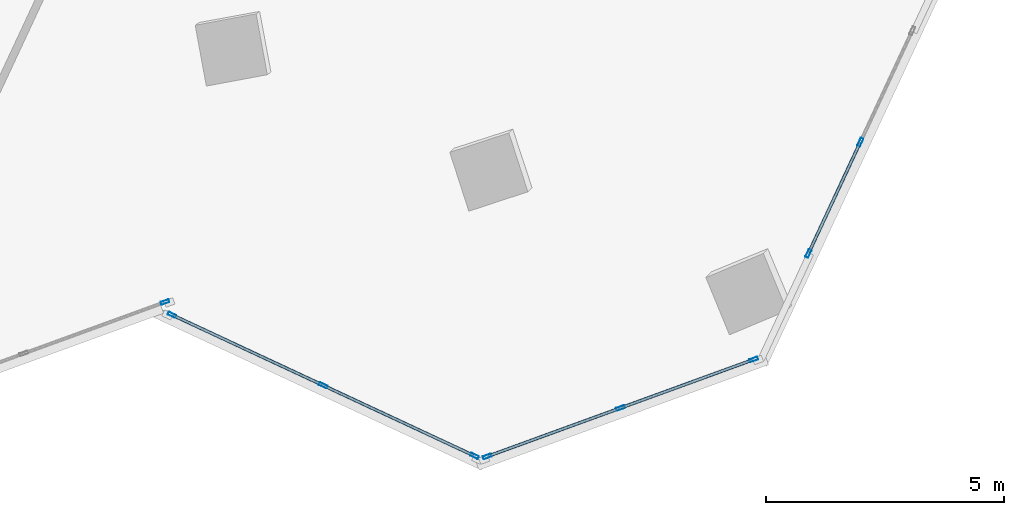
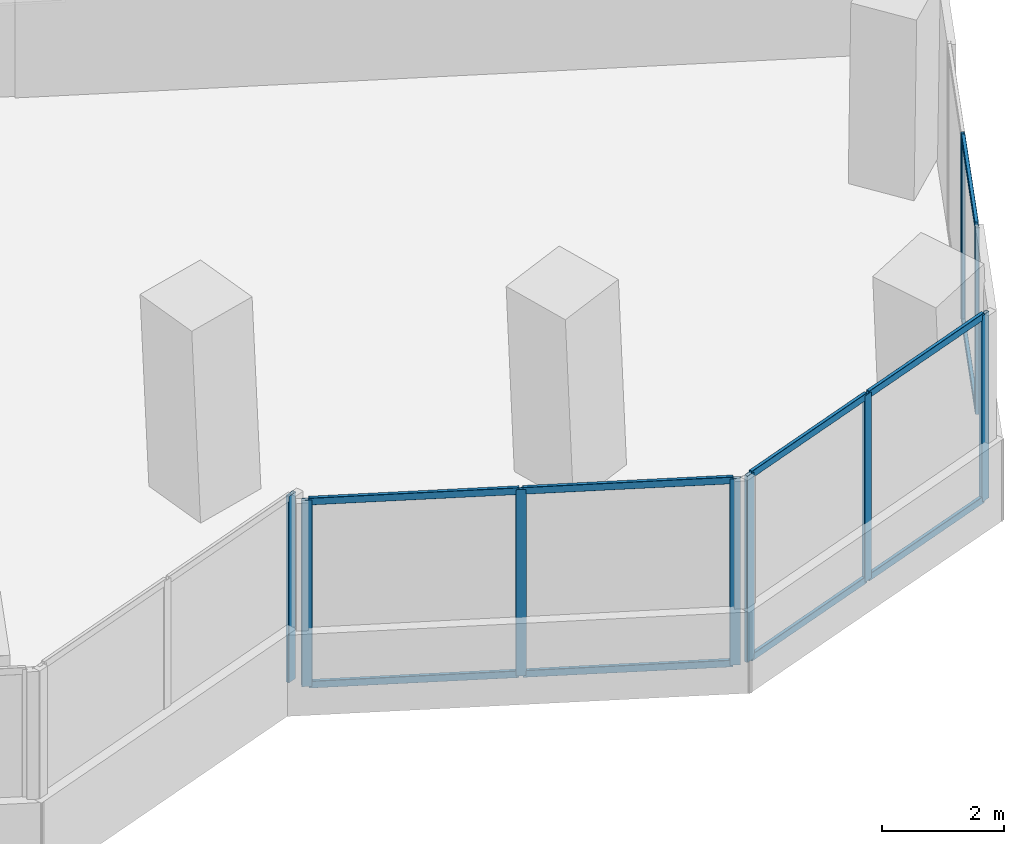
# One storey, part 7 of 23: 19 members, 4 elements without a shape of their own.
"""IFC4 building model written with IfcOpenShell, lengths in metres."""

from ifc_helpers import new_model, si_unit, direction, frame, origin, origin_2d, place, context, subcontext, project, spatial, hollow_rectangle, extrude, source, transform, mapped, material, material_profile, profile_set, type_object, element, aggregate, save


model = new_model("IFC4")

# Units and contexts
model_context = context("Model", 3, precision=1e-05, world=origin(), true_north=direction((0.0, 1.0)))
body_context = subcontext(model_context, "Body", "Model", "MODEL_VIEW")
ifc_project = project(units=[si_unit("LENGTHUNIT", "METRE"), si_unit("AREAUNIT", "SQUARE_METRE"), si_unit("VOLUMEUNIT", "CUBIC_METRE"), si_unit("PLANEANGLEUNIT", "RADIAN"), si_unit("MASSUNIT", "GRAM", prefix="KILO")], contexts=[model_context])

# Site, building, storey
site_placement = place(None, origin())
site = spatial("IfcSite", under=ifc_project, at=site_placement, CompositionType="ELEMENT")
building_placement = place(site_placement, origin())
building = spatial("IfcBuilding", under=site, at=building_placement, Name="Torre Montelarca", CompositionType="ELEMENT")
storey_placement = place(building_placement, frame((0.0, 0.0, 158.199951171875)))
storey = spatial("IfcBuildingStorey", under=building, at=storey_placement, Name="L35", CompositionType="ELEMENT", Elevation=158.199951171875)

# Curtain wall, members
ifc_material_1 = material(Name="Insulated low-E laminated glass", Category="glass")
curtain_wall_type = type_object("IfcCurtainWallType", Name="CW-SYS-Z2", PredefinedType="USERDEFINED", material=ifc_material_1)
curtain_wall_1_placement = place(storey_placement, origin())
curtain_wall_1 = element("IfcCurtainWall", 1, at=curtain_wall_1_placement, inside=storey, type_object=curtain_wall_type, Name="L35 Curtain Wall Run CW-T3-L35-E05-B1", ObjectType="UNITISED GLAZING", PredefinedType="USERDEFINED")
ifc_material_2 = material(Name="Anodised aluminium AA 6063-T6", Category="aluminium")
ifc_material_profile_1 = material_profile(ifc_material_2, hollow_rectangle(XDim=0.06494140625, YDim=0.139892578125, WallThickness=0.00390625, InnerFilletRadius=0.00390625, OuterFilletRadius=0.008056640625, at=origin_2d()), Name="ALU65X140X4", Category="aluminium")
ifc_profile_set_1 = profile_set([ifc_material_profile_1], Name="Anodised aluminium AA 6063-T6")
member_type_1 = type_object("IfcMemberType", Name="CWT-ALU140", PredefinedType="USERDEFINED", material=ifc_profile_set_1)
shared_shape_1 = source(origin(), body_context, "Body", "SweptSolid", [
    extrude(hollow_rectangle(XDim=0.06494140625, YDim=0.139892578125, WallThickness=0.00390625, InnerFilletRadius=0.00390625, OuterFilletRadius=0.008056640625, at=origin_2d()), origin(), (0.0, 0.0, 1.0), 2.918701171875),
])
member_1_placement = place(storey_placement, frame((36.5947265625, 10.01611328125, 0.032470703125), z_axis=(0.939688362671, 0.342031842172, 0.0), x_axis=(-0.342031842172, 0.939688362671, 0.0)))
member_1 = element("IfcMember", 2, at=member_1_placement, type_object=member_type_1, Name="CW transom 1.1", ObjectType="TRANSOM", PredefinedType="USERDEFINED", context=body_context, shape_type="MappedRepresentation", body=[
    mapped(shared_shape_1, transform((0.0, 0.0, 0.0), scale=1.0)),
])
member_2_placement = place(storey_placement, frame((36.5947265625, 10.01611328125, 3.6875), z_axis=(0.939688362671, 0.342031842172, 0.0), x_axis=(-0.342031842172, 0.939688362671, 0.0)))
member_2 = element("IfcMember", 3, at=member_2_placement, type_object=member_type_1, Name="CW transom 1.2", ObjectType="TRANSOM", PredefinedType="USERDEFINED", context=body_context, shape_type="MappedRepresentation", body=[
    mapped(shared_shape_1, transform((0.0, 0.0, 0.0), scale=1.0)),
])
member_3_placement = place(storey_placement, frame((39.3984375, 11.03662109375, 0.032470703125), z_axis=(0.939715244905, 0.341957977672, 0.0), x_axis=(-0.341957977672, 0.939715244905, 0.0)))
member_3 = element("IfcMember", 4, at=member_3_placement, type_object=member_type_1, Name="CW transom 2.1", ObjectType="TRANSOM", PredefinedType="USERDEFINED", context=body_context, shape_type="MappedRepresentation", body=[
    mapped(shared_shape_1, transform((0.0, 0.0, 0.0), scale=1.0)),
])
member_4_placement = place(storey_placement, frame((39.3984375, 11.03662109375, 3.6875), z_axis=(0.939715244905, 0.341957977672, 0.0), x_axis=(-0.341957977672, 0.939715244905, 0.0)))
member_4 = element("IfcMember", 5, at=member_4_placement, type_object=member_type_1, Name="CW transom 2.2", ObjectType="TRANSOM", PredefinedType="USERDEFINED", context=body_context, shape_type="MappedRepresentation", body=[
    mapped(shared_shape_1, transform((0.0, 0.0, 0.0), scale=1.0)),
])

# Curtain wall, member
curtain_wall_2_placement = place(storey_placement, origin())
curtain_wall_2 = element("IfcCurtainWall", 6, at=curtain_wall_2_placement, inside=storey, type_object=curtain_wall_type, Name="L35 Curtain Wall Run CW-T3-L35-E02-B1", ObjectType="UNITISED GLAZING", PredefinedType="USERDEFINED")
ifc_material_profile_2 = material_profile(ifc_material_2, hollow_rectangle(XDim=0.06494140625, YDim=0.179931640625, WallThickness=0.00390625, InnerFilletRadius=0.00390625, OuterFilletRadius=0.008056640625, at=origin_2d()), Name="ALU65X180X4", Category="aluminium")
ifc_profile_set_2 = profile_set([ifc_material_profile_2], Name="Anodised aluminium AA 6063-T6")
member_type_2 = type_object("IfcMemberType", Name="CWM-ALU180", PredefinedType="MULLION", material=ifc_profile_set_2)
shared_shape_2 = source(origin(), body_context, "Body", "SweptSolid", [
    extrude(hollow_rectangle(XDim=0.06494140625, YDim=0.179931640625, WallThickness=0.00390625, InnerFilletRadius=0.00390625, OuterFilletRadius=0.008056640625, at=origin_2d()), origin(), (0.0, 0.0, 1.0), 3.719970703125),
])
member_5_placement = place(storey_placement, frame((29.781982421875, 13.25537109375, 0.0), z_axis=(0.0, 0.0, 1.0), x_axis=(-0.342017799316, 0.939693473932, 0.0)))
member_5 = element("IfcMember", 7, at=member_5_placement, type_object=member_type_2, Name="CW mullion 3", PredefinedType="MULLION", context=body_context, shape_type="MappedRepresentation", body=[
    mapped(shared_shape_2, transform((0.0, 0.0, 0.0), scale=1.0)),
])
aggregate(curtain_wall_2, [member_5])

# Curtain wall, members
curtain_wall_3_placement = place(storey_placement, origin())
curtain_wall_3 = element("IfcCurtainWall", 8, at=curtain_wall_3_placement, inside=storey, type_object=curtain_wall_type, Name="L35 Curtain Wall Run CW-T3-L35-E04-B1", ObjectType="UNITISED GLAZING", PredefinedType="USERDEFINED")
member_6_placement = place(storey_placement, frame((29.9287109375, 12.986328125, 0.0), z_axis=(0.0, 0.0, 1.0), x_axis=(0.422602150764, 0.906315299534, 0.0)))
member_6 = element("IfcMember", 9, at=member_6_placement, type_object=member_type_2, Name="CW mullion 1", PredefinedType="MULLION", context=body_context, shape_type="MappedRepresentation", body=[
    mapped(shared_shape_2, transform((0.0, 0.0, 0.0), scale=1.0)),
])
member_7_placement = place(storey_placement, frame((33.113037109375, 11.50146484375, 0.0), z_axis=(0.0, 0.0, 1.0), x_axis=(0.422602150764, 0.906315299534, 0.0)))
member_7 = element("IfcMember", 10, at=member_7_placement, type_object=member_type_2, Name="CW mullion 2", PredefinedType="MULLION", context=body_context, shape_type="MappedRepresentation", body=[
    mapped(shared_shape_2, transform((0.0, 0.0, 0.0), scale=1.0)),
])
member_8_placement = place(storey_placement, frame((36.29736328125, 10.016845703125, 0.0), z_axis=(0.0, 0.0, 1.0), x_axis=(0.422602150764, 0.906315299534, 0.0)))
member_8 = element("IfcMember", 11, at=member_8_placement, type_object=member_type_2, Name="CW mullion 3", PredefinedType="MULLION", context=body_context, shape_type="MappedRepresentation", body=[
    mapped(shared_shape_2, transform((0.0, 0.0, 0.0), scale=1.0)),
])

# Member
member_9_placement = place(storey_placement, frame((36.564208984375, 10.005126953125, 0.0), z_axis=(0.0, 0.0, 1.0), x_axis=(-0.342015916313, 0.939694159282, 0.0)))
member_9 = element("IfcMember", 12, at=member_9_placement, type_object=member_type_2, Name="CW mullion 1", PredefinedType="MULLION", context=body_context, shape_type="MappedRepresentation", body=[
    mapped(shared_shape_2, transform((0.0, 0.0, 0.0), scale=1.0)),
])

member_10_placement = place(storey_placement, frame((39.367919921875, 11.025390625, 0.0), z_axis=(0.0, 0.0, 1.0), x_axis=(-0.342015916313, 0.939694159282, 0.0)))
member_10 = element("IfcMember", 13, at=member_10_placement, type_object=member_type_2, Name="CW mullion 2", PredefinedType="MULLION", context=body_context, shape_type="MappedRepresentation", body=[
    mapped(shared_shape_2, transform((0.0, 0.0, 0.0), scale=1.0)),
])

member_11_placement = place(storey_placement, frame((42.171630859375, 12.0458984375, 0.0), z_axis=(0.0, 0.0, 1.0), x_axis=(-0.342015916313, 0.939694159282, 0.0)))
member_11 = element("IfcMember", 14, at=member_11_placement, type_object=member_type_2, Name="CW mullion 3", PredefinedType="MULLION", context=body_context, shape_type="MappedRepresentation", body=[
    mapped(shared_shape_2, transform((0.0, 0.0, 0.0), scale=1.0)),
])

aggregate(curtain_wall_1, [member_9, member_10, member_11, member_1, member_2, member_3, member_4])

# Curtain wall, members
curtain_wall_4_placement = place(storey_placement, origin())
curtain_wall_4 = element("IfcCurtainWall", 15, at=curtain_wall_4_placement, inside=storey, type_object=curtain_wall_type, Name="L35 Curtain Wall Run CW-T3-L35-E06-B1", ObjectType="UNITISED GLAZING", PredefinedType="USERDEFINED")
member_12_placement = place(storey_placement, frame((43.325439453125, 14.2783203125, 0.0), z_axis=(0.0, 0.0, 1.0), x_axis=(-0.906314326192, 0.422604238194, 0.0)))
member_12 = element("IfcMember", 16, at=member_12_placement, type_object=member_type_2, Name="CW mullion 1", PredefinedType="MULLION", context=body_context, shape_type="MappedRepresentation", body=[
    mapped(shared_shape_2, transform((0.0, 0.0, 0.0), scale=1.0)),
])
member_13_placement = place(storey_placement, frame((44.418212890625, 16.6220703125, 0.0), z_axis=(0.0, 0.0, 1.0), x_axis=(-0.906314326192, 0.422604238194, 0.0)))
member_13 = element("IfcMember", 17, at=member_13_placement, type_object=member_type_2, Name="CW mullion 2", PredefinedType="MULLION", context=body_context, shape_type="MappedRepresentation", body=[
    mapped(shared_shape_2, transform((0.0, 0.0, 0.0), scale=1.0)),
])

# Member
shared_shape_3 = source(origin(), body_context, "Body", "SweptSolid", [
    extrude(hollow_rectangle(XDim=0.06494140625, YDim=0.139892578125, WallThickness=0.00390625, InnerFilletRadius=0.00390625, OuterFilletRadius=0.008056640625, at=origin_2d()), origin(), (0.0, 0.0, 1.0), 3.448486328125),
])
member_14_placement = place(storey_placement, frame((29.958251953125, 12.97265625, 0.032470703125), z_axis=(0.906325971471, -0.422579262905, 0.0), x_axis=(0.422579262905, 0.906325971471, 0.0)))
member_14 = element("IfcMember", 18, at=member_14_placement, type_object=member_type_1, Name="CW transom 1.1", ObjectType="TRANSOM", PredefinedType="USERDEFINED", context=body_context, shape_type="MappedRepresentation", body=[
    mapped(shared_shape_3, transform((0.0, 0.0, 0.0), scale=1.0)),
])

member_15_placement = place(storey_placement, frame((29.958251953125, 12.97265625, 3.6875), z_axis=(0.906325971471, -0.422579262905, 0.0), x_axis=(0.422579262905, 0.906325971471, 0.0)))
member_15 = element("IfcMember", 19, at=member_15_placement, type_object=member_type_1, Name="CW transom 1.2", ObjectType="TRANSOM", PredefinedType="USERDEFINED", context=body_context, shape_type="MappedRepresentation", body=[
    mapped(shared_shape_3, transform((0.0, 0.0, 0.0), scale=1.0)),
])

member_16_placement = place(storey_placement, frame((33.142578125, 11.48779296875, 0.032470703125), z_axis=(0.906325971471, -0.422579262905, 0.0), x_axis=(0.422579262905, 0.906325971471, 0.0)))
member_16 = element("IfcMember", 20, at=member_16_placement, type_object=member_type_1, Name="CW transom 2.1", ObjectType="TRANSOM", PredefinedType="USERDEFINED", context=body_context, shape_type="MappedRepresentation", body=[
    mapped(shared_shape_3, transform((0.0, 0.0, 0.0), scale=1.0)),
])

member_17_placement = place(storey_placement, frame((33.142578125, 11.48779296875, 3.6875), z_axis=(0.906325971471, -0.422579262905, 0.0), x_axis=(0.422579262905, 0.906325971471, 0.0)))
member_17 = element("IfcMember", 21, at=member_17_placement, type_object=member_type_1, Name="CW transom 2.2", ObjectType="TRANSOM", PredefinedType="USERDEFINED", context=body_context, shape_type="MappedRepresentation", body=[
    mapped(shared_shape_3, transform((0.0, 0.0, 0.0), scale=1.0)),
])

aggregate(curtain_wall_3, [member_6, member_7, member_8, member_14, member_15, member_16, member_17])

shared_shape_4 = source(origin(), body_context, "Body", "SweptSolid", [
    extrude(hollow_rectangle(XDim=0.06494140625, YDim=0.139892578125, WallThickness=0.00390625, InnerFilletRadius=0.00390625, OuterFilletRadius=0.008056640625, at=origin_2d()), origin(), (0.0, 0.0, 1.0), 2.52099609375),
])
member_18_placement = place(storey_placement, frame((43.339111328125, 14.307861328125, 0.032470703125), z_axis=(0.422641564509, 0.906296920412, 0.0), x_axis=(-0.906296920412, 0.422641564509, 0.0)))
member_18 = element("IfcMember", 22, at=member_18_placement, type_object=member_type_1, Name="CW transom 1.1", ObjectType="TRANSOM", PredefinedType="USERDEFINED", context=body_context, shape_type="MappedRepresentation", body=[
    mapped(shared_shape_4, transform((0.0, 0.0, 0.0), scale=1.0)),
])

member_19_placement = place(storey_placement, frame((43.339111328125, 14.307861328125, 3.6875), z_axis=(0.422641564509, 0.906296920412, 0.0), x_axis=(-0.906296920412, 0.422641564509, 0.0)))
member_19 = element("IfcMember", 23, at=member_19_placement, type_object=member_type_1, Name="CW transom 1.2", ObjectType="TRANSOM", PredefinedType="USERDEFINED", context=body_context, shape_type="MappedRepresentation", body=[
    mapped(shared_shape_4, transform((0.0, 0.0, 0.0), scale=1.0)),
])

aggregate(curtain_wall_4, [member_12, member_13, member_18, member_19])

save(model, "model.ifc")
